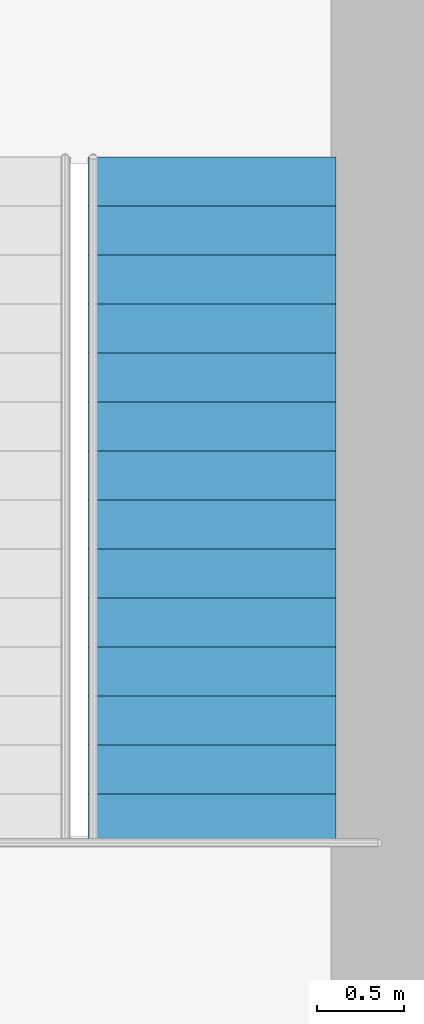
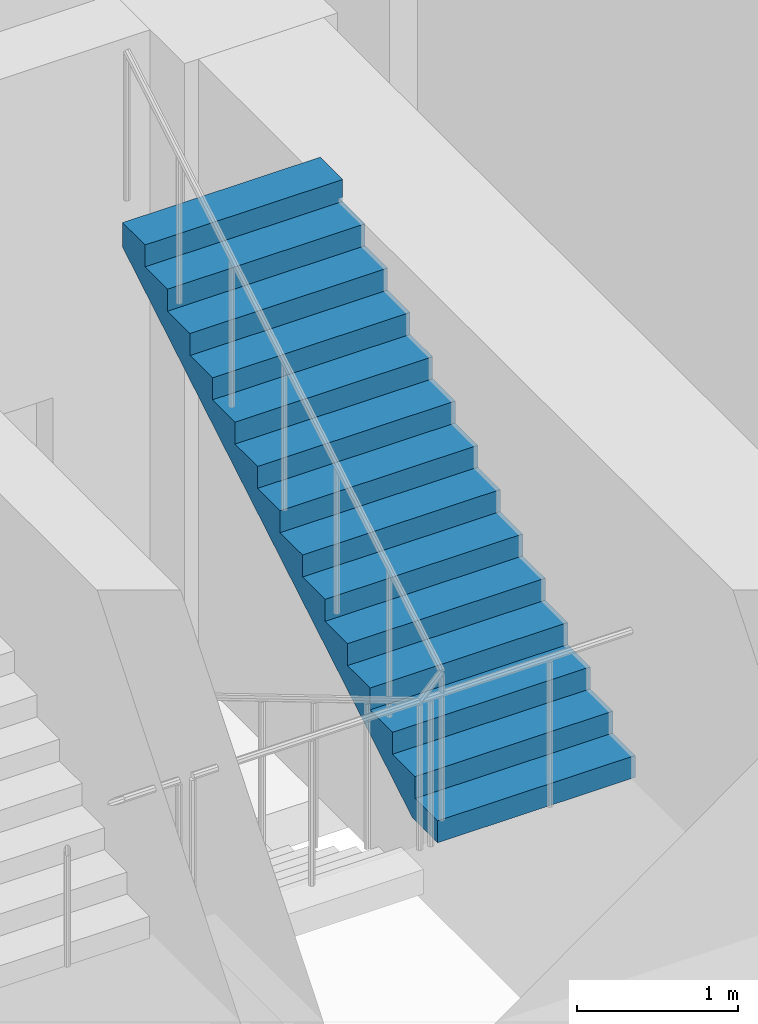
# One storey, part 30 of 36: 1 stair flight, 1 element without a shape of its own.
"""IFC4 building model written with IfcOpenShell, lengths in metres."""

from ifc_helpers import new_model, si_unit, direction, frame, origin, place, context, subcontext, project, spatial, polyline, outline, extrude, material, type_object, element, aggregate, save


model = new_model("IFC4")

# Units and contexts
model_context = context("Model", 3, precision=1e-05, world=origin(), true_north=direction((0.0, 1.0)))
body_context = subcontext(model_context, "Body", "Model", "MODEL_VIEW")
ifc_project = project(units=[si_unit("LENGTHUNIT", "METRE"), si_unit("AREAUNIT", "SQUARE_METRE"), si_unit("VOLUMEUNIT", "CUBIC_METRE"), si_unit("PLANEANGLEUNIT", "RADIAN"), si_unit("MASSUNIT", "GRAM", prefix="KILO")], contexts=[model_context])

# Site, building, storey
site_placement = place(None, origin())
site = spatial("IfcSite", under=ifc_project, at=site_placement, CompositionType="ELEMENT")
building_placement = place(site_placement, origin())
building = spatial("IfcBuilding", under=site, at=building_placement, Name="Nuhasar Tower", CompositionType="ELEMENT")
storey_placement = place(building_placement, frame((0.0, 0.0, 11.0)))
storey = spatial("IfcBuildingStorey", under=building, at=storey_placement, Name="L02", CompositionType="ELEMENT", Elevation=11.0)

# Stair, stair flight
ifc_material = material(Name="Concrete C45/55", Category="concrete")
stair_type = type_object("IfcStairType", Name="STR-ST-02-2F-30R-1667", PredefinedType="HALF_TURN_STAIR", material=ifc_material)
stair_placement = place(storey_placement, origin())
stair = element("IfcStair", 1, at=stair_placement, inside=storey, type_object=stair_type, Name="L02 Exit Stair ST-02", PredefinedType="HALF_TURN_STAIR")
stair_flight_type = type_object("IfcStairFlightType", Name="SFL-ST-02-15R-1667", PredefinedType="STRAIGHT", material=ifc_material)
stair_flight_placement = place(storey_placement, frame((43.169921875, 31.364990234375, 2.5), z_axis=(0.0, 0.0, 1.0), x_axis=(0.0, 1.0, 0.0)))
stair_flight = element("IfcStairFlight", 2, at=stair_flight_placement, type_object=stair_flight_type, Name="ST-02 flight 2", NumberOfRisers=15, NumberOfTreads=14, PredefinedType="STRAIGHT", RiserHeight=0.166667, TreadLength=0.28, context=body_context, shape_type="SweptSolid", body=[
    extrude(outline(polyline([(0.0, 0.0), (0.0, 0.166748046875), (0.280029296875, 0.166748046875), (0.280029296875, 0.333251953125), (0.56005859375, 0.333251953125), (0.56005859375, 0.5), (0.840087890625, 0.5), (0.840087890625, 0.666748046875), (1.1201171875, 0.666748046875), (1.1201171875, 0.833251953125), (1.39990234375, 0.833251953125), (1.39990234375, 1.0), (1.679931640625, 1.0), (1.679931640625, 1.166748046875), (1.9599609375, 1.166748046875), (1.9599609375, 1.333251953125), (2.239990234375, 1.333251953125), (2.239990234375, 1.5), (2.52001953125, 1.5), (2.52001953125, 1.666748046875), (2.800048828125, 1.666748046875), (2.800048828125, 1.833251953125), (3.080078125, 1.833251953125), (3.080078125, 2.0), (3.360107421875, 2.0), (3.360107421875, 2.166748046875), (3.639892578125, 2.166748046875), (3.639892578125, 2.333251953125), (3.919921875, 2.333251953125), (3.919921875, 2.5), (3.919921875, 2.147216796875), (0.312744140625, 0.0), (0.0, 0.0)])), frame((0.0, 0.7099609375, 0.0), z_axis=(0.0, -1.0, 0.0), x_axis=(1.0, 0.0, 0.0)), (0.0, 0.0, 1.0), 1.419921875),
])
aggregate(stair, [stair_flight])

save(model, "model.ifc")
